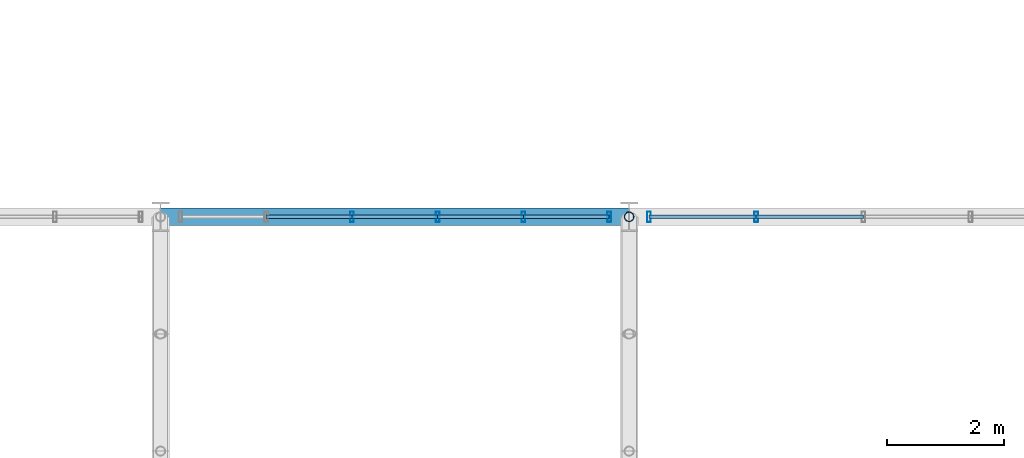
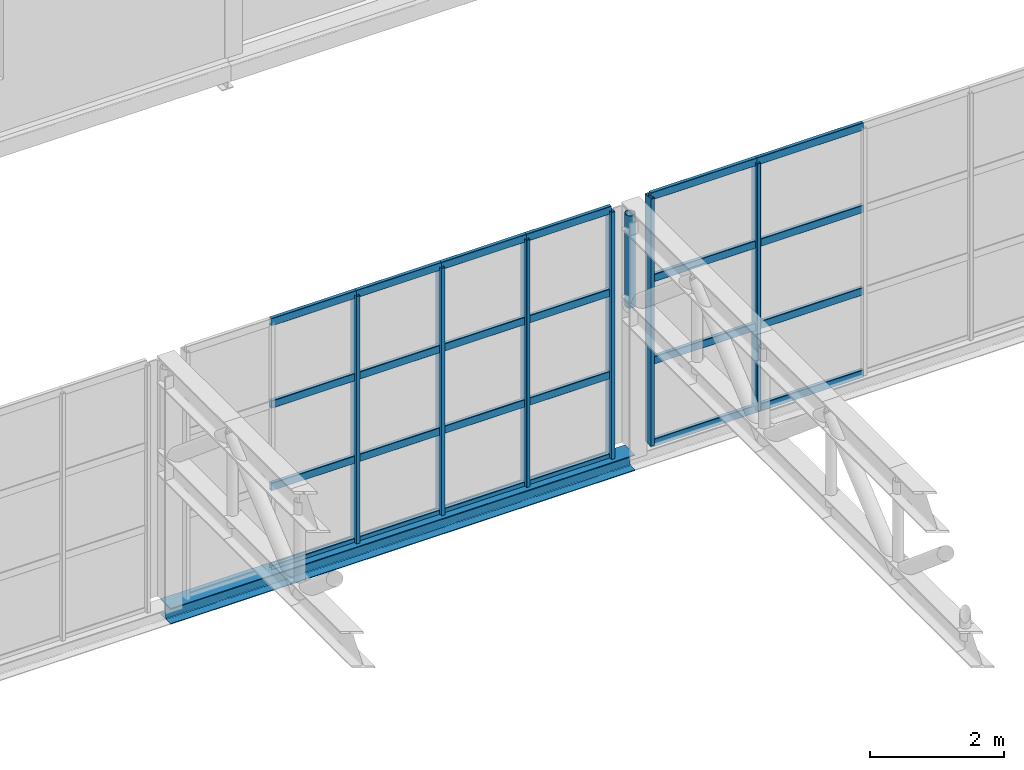
# One storey, part 94 of 143: 31 members, 1 beam, 2 elements without a shape of their own.
"""IFC4 building model written with IfcOpenShell, lengths in metres."""

from ifc_helpers import new_model, si_unit, derived_unit, direction, frame, origin, origin_2d, place, context, subcontext, project, spatial, hollow_rectangle, hollow_circle, i_section, extrude, material, material_profile, profile_set, type_object, element, aggregate, save


model = new_model("IFC4")

# Units and contexts
model_context = context("Model", 3, precision=1e-05, world=origin(), true_north=direction((0.0, 1.0)))
body_context = subcontext(model_context, "Body", "Model", "MODEL_VIEW")
ifc_project = project(units=[si_unit("LENGTHUNIT", "METRE"), si_unit("AREAUNIT", "SQUARE_METRE"), si_unit("VOLUMEUNIT", "CUBIC_METRE"), si_unit("PLANEANGLEUNIT", "RADIAN"), si_unit("MASSUNIT", "GRAM", prefix="KILO"), derived_unit("THERMALTRANSMITTANCEUNIT", [(si_unit("POWERUNIT", "WATT"), 1), (si_unit("LENGTHUNIT", "METRE"), -2), (si_unit("THERMODYNAMICTEMPERATUREUNIT", "KELVIN"), -1)])], contexts=[model_context])

# Site, building, storey
site_placement = place(None, origin())
site = spatial("IfcSite", under=ifc_project, at=site_placement, CompositionType="ELEMENT")
building_placement = place(site_placement, origin())
building = spatial("IfcBuilding", under=site, at=building_placement, Name="Keldorne Ridge Multi-Sports Centre", CompositionType="ELEMENT")
storey_placement = place(building_placement, frame((0.0, 0.0, 4.800048828125)))
storey = spatial("IfcBuildingStorey", under=building, at=storey_placement, Name="L01", CompositionType="ELEMENT", Elevation=4.800048828125)

# Beam
ifc_material_1 = material(Name="Steel S355", Category="steel")
ifc_material_profile_1 = material_profile(ifc_material_1, i_section(OverallWidth=0.300048828125, OverallDepth=0.2900390625, WebThickness=0.008544921875, FlangeThickness=0.013916015625, FilletRadius=0.027099609375, at=origin_2d()), Name="HEA 300")
ifc_profile_set_1 = profile_set([ifc_material_profile_1], Name="Steel S355")
beam_type = type_object("IfcBeamType", Name="BM-SP-04", PredefinedType="SPANDREL", material=ifc_profile_set_1)
beam_placement = place(storey_placement, frame((152.0, 54.0, -0.150146484375), z_axis=(1.0, 0.0, 0.0), x_axis=(0.0, 1.0, 0.0)))
element("IfcBeam", 1, at=beam_placement, inside=storey, type_object=beam_type, Name="Stacked Courts spandrel L01.54.7", PredefinedType="SPANDREL", context=body_context, shape_type="SweptSolid", body=[
    extrude(i_section(OverallWidth=0.300048828125, OverallDepth=0.2900390625, WebThickness=0.008544921875, FlangeThickness=0.013916015625, FilletRadius=0.027099609375, at=origin_2d()), origin(), (0.0, 0.0, 1.0), 8.0),
])

# Curtain wall, members
ifc_material_2 = material(Name="Anodized aluminium", Category="aluminium")
curtain_wall_type_1 = type_object("IfcCurtainWallType", Name="CW-CW-01", PredefinedType="NOTDEFINED", material=ifc_material_2)
curtain_wall_1_placement = place(storey_placement, origin())
curtain_wall_1 = element("IfcCurtainWall", 2, at=curtain_wall_1_placement, inside=storey, type_object=curtain_wall_type_1, Name="Lower Courts north clerestory 129", PredefinedType="NOTDEFINED")
ifc_material_profile_2 = material_profile(ifc_material_2, hollow_rectangle(XDim=0.06494140625, YDim=0.179931640625, WallThickness=0.00439453125, InnerFilletRadius=0.00439453125, OuterFilletRadius=0.009033203125, at=origin_2d()), Name="ALU MULLION 180x65x4.5")
ifc_profile_set_2 = profile_set([ifc_material_profile_2], Name="Anodized aluminium")
member_type_1 = type_object("IfcMemberType", Name="MEM-ML-01", PredefinedType="MULLION", material=ifc_profile_set_2)
member_1_placement = place(storey_placement, frame((159.659912109375, 54.0, 0.0), z_axis=(0.0, 0.0, 1.0), x_axis=(1.0, 0.0, 0.0)))
member_1 = element("IfcMember", 3, at=member_1_placement, type_object=member_type_1, Name="CW-129 vertical mullion 1", PredefinedType="MULLION", context=body_context, shape_type="SweptSolid", body=[
    extrude(hollow_rectangle(XDim=0.06494140625, YDim=0.179931640625, WallThickness=0.00439453125, InnerFilletRadius=0.00439453125, OuterFilletRadius=0.009033203125, at=origin_2d()), origin(), (0.0, 0.0, 1.0), 4.5),
])
member_2_placement = place(storey_placement, frame((158.196044921875, 54.0, 0.0), z_axis=(0.0, 0.0, 1.0), x_axis=(1.0, 0.0, 0.0)))
member_2 = element("IfcMember", 4, at=member_2_placement, type_object=member_type_1, Name="CW-129 vertical mullion 2", PredefinedType="MULLION", context=body_context, shape_type="SweptSolid", body=[
    extrude(hollow_rectangle(XDim=0.06494140625, YDim=0.179931640625, WallThickness=0.00439453125, InnerFilletRadius=0.00439453125, OuterFilletRadius=0.009033203125, at=origin_2d()), origin(), (0.0, 0.0, 1.0), 4.5),
])
member_3_placement = place(storey_placement, frame((156.73193359375, 54.0, 0.0), z_axis=(0.0, 0.0, 1.0), x_axis=(1.0, 0.0, 0.0)))
member_3 = element("IfcMember", 5, at=member_3_placement, type_object=member_type_1, Name="CW-129 vertical mullion 3", PredefinedType="MULLION", context=body_context, shape_type="SweptSolid", body=[
    extrude(hollow_rectangle(XDim=0.06494140625, YDim=0.179931640625, WallThickness=0.00439453125, InnerFilletRadius=0.00439453125, OuterFilletRadius=0.009033203125, at=origin_2d()), origin(), (0.0, 0.0, 1.0), 4.5),
])
member_4_placement = place(storey_placement, frame((155.26806640625, 54.0, 0.0), z_axis=(0.0, 0.0, 1.0), x_axis=(1.0, 0.0, 0.0)))
member_4 = element("IfcMember", 6, at=member_4_placement, type_object=member_type_1, Name="CW-129 vertical mullion 4", PredefinedType="MULLION", context=body_context, shape_type="SweptSolid", body=[
    extrude(hollow_rectangle(XDim=0.06494140625, YDim=0.179931640625, WallThickness=0.00439453125, InnerFilletRadius=0.00439453125, OuterFilletRadius=0.009033203125, at=origin_2d()), origin(), (0.0, 0.0, 1.0), 4.5),
])

curtain_wall_type_2 = type_object("IfcCurtainWallType", Name="CW-CW-08", PredefinedType="NOTDEFINED", material=ifc_material_2)
curtain_wall_2_placement = place(storey_placement, origin())
curtain_wall_2 = element("IfcCurtainWall", 7, at=curtain_wall_2_placement, inside=storey, type_object=curtain_wall_type_2, Name="Lower Courts north clerestory 136", PredefinedType="NOTDEFINED")
member_5_placement = place(storey_placement, frame((162.169921875, 54.0, 0.0), z_axis=(0.0, 0.0, 1.0), x_axis=(1.0, 0.0, 0.0)))
member_5 = element("IfcMember", 8, at=member_5_placement, type_object=member_type_1, Name="CW-136 vertical mullion 4", PredefinedType="MULLION", context=body_context, shape_type="SweptSolid", body=[
    extrude(hollow_rectangle(XDim=0.06494140625, YDim=0.179931640625, WallThickness=0.00439453125, InnerFilletRadius=0.00439453125, OuterFilletRadius=0.009033203125, at=origin_2d()), origin(), (0.0, 0.0, 1.0), 4.5),
])
member_6_placement = place(storey_placement, frame((160.340087890625, 54.0, 0.0), z_axis=(0.0, 0.0, 1.0), x_axis=(1.0, 0.0, 0.0)))
member_6 = element("IfcMember", 9, at=member_6_placement, type_object=member_type_1, Name="CW-136 vertical mullion 5", PredefinedType="MULLION", context=body_context, shape_type="SweptSolid", body=[
    extrude(hollow_rectangle(XDim=0.06494140625, YDim=0.179931640625, WallThickness=0.00439453125, InnerFilletRadius=0.00439453125, OuterFilletRadius=0.009033203125, at=origin_2d()), origin(), (0.0, 0.0, 1.0), 4.5),
])

# Member
ifc_material_profile_3 = material_profile(ifc_material_2, hollow_rectangle(XDim=0.06494140625, YDim=0.139892578125, WallThickness=0.00439453125, InnerFilletRadius=0.00439453125, OuterFilletRadius=0.009033203125, at=origin_2d()), Name="ALU TRANSOM 140x65x4.5")
ifc_profile_set_3 = profile_set([ifc_material_profile_3], Name="Anodized aluminium")
member_type_2 = type_object("IfcMemberType", Name="MEM-TR-01", PredefinedType="USERDEFINED", material=ifc_profile_set_3)
member_7_placement = place(storey_placement, frame((159.659912109375, 54.0, 0.0), z_axis=(-1.0, 0.0, 0.0), x_axis=(0.0, -1.0, 0.0)))
member_7 = element("IfcMember", 10, at=member_7_placement, type_object=member_type_2, Name="CW-129 transom 1.1", ObjectType="TRANSOM", PredefinedType="USERDEFINED", context=body_context, shape_type="SweptSolid", body=[
    extrude(hollow_rectangle(XDim=0.06494140625, YDim=0.139892578125, WallThickness=0.00439453125, InnerFilletRadius=0.00439453125, OuterFilletRadius=0.009033203125, at=origin_2d()), origin(), (0.0, 0.0, 1.0), 1.4638671875),
])

member_8_placement = place(storey_placement, frame((159.659912109375, 54.0, 1.5), z_axis=(-1.0, 0.0, 0.0), x_axis=(0.0, -1.0, 0.0)))
member_8 = element("IfcMember", 11, at=member_8_placement, type_object=member_type_2, Name="CW-129 transom 1.2", ObjectType="TRANSOM", PredefinedType="USERDEFINED", context=body_context, shape_type="SweptSolid", body=[
    extrude(hollow_rectangle(XDim=0.06494140625, YDim=0.139892578125, WallThickness=0.00439453125, InnerFilletRadius=0.00439453125, OuterFilletRadius=0.009033203125, at=origin_2d()), origin(), (0.0, 0.0, 1.0), 1.4638671875),
])

member_9_placement = place(storey_placement, frame((159.659912109375, 54.0, 3.0), z_axis=(-1.0, 0.0, 0.0), x_axis=(0.0, -1.0, 0.0)))
member_9 = element("IfcMember", 12, at=member_9_placement, type_object=member_type_2, Name="CW-129 transom 1.3", ObjectType="TRANSOM", PredefinedType="USERDEFINED", context=body_context, shape_type="SweptSolid", body=[
    extrude(hollow_rectangle(XDim=0.06494140625, YDim=0.139892578125, WallThickness=0.00439453125, InnerFilletRadius=0.00439453125, OuterFilletRadius=0.009033203125, at=origin_2d()), origin(), (0.0, 0.0, 1.0), 1.4638671875),
])

member_10_placement = place(storey_placement, frame((159.659912109375, 54.0, 4.5), z_axis=(-1.0, 0.0, 0.0), x_axis=(0.0, -1.0, 0.0)))
member_10 = element("IfcMember", 13, at=member_10_placement, type_object=member_type_2, Name="CW-129 transom 1.4", ObjectType="TRANSOM", PredefinedType="USERDEFINED", context=body_context, shape_type="SweptSolid", body=[
    extrude(hollow_rectangle(XDim=0.06494140625, YDim=0.139892578125, WallThickness=0.00439453125, InnerFilletRadius=0.00439453125, OuterFilletRadius=0.009033203125, at=origin_2d()), origin(), (0.0, 0.0, 1.0), 1.4638671875),
])

member_11_placement = place(storey_placement, frame((158.196044921875, 54.0, 0.0), z_axis=(-1.0, 0.0, 0.0), x_axis=(0.0, -1.0, 0.0)))
member_11 = element("IfcMember", 14, at=member_11_placement, type_object=member_type_2, Name="CW-129 transom 2.1", ObjectType="TRANSOM", PredefinedType="USERDEFINED", context=body_context, shape_type="SweptSolid", body=[
    extrude(hollow_rectangle(XDim=0.06494140625, YDim=0.139892578125, WallThickness=0.00439453125, InnerFilletRadius=0.00439453125, OuterFilletRadius=0.009033203125, at=origin_2d()), origin(), (0.0, 0.0, 1.0), 1.464111328125),
])

member_12_placement = place(storey_placement, frame((158.196044921875, 54.0, 1.5), z_axis=(-1.0, 0.0, 0.0), x_axis=(0.0, -1.0, 0.0)))
member_12 = element("IfcMember", 15, at=member_12_placement, type_object=member_type_2, Name="CW-129 transom 2.2", ObjectType="TRANSOM", PredefinedType="USERDEFINED", context=body_context, shape_type="SweptSolid", body=[
    extrude(hollow_rectangle(XDim=0.06494140625, YDim=0.139892578125, WallThickness=0.00439453125, InnerFilletRadius=0.00439453125, OuterFilletRadius=0.009033203125, at=origin_2d()), origin(), (0.0, 0.0, 1.0), 1.464111328125),
])

member_13_placement = place(storey_placement, frame((158.196044921875, 54.0, 3.0), z_axis=(-1.0, 0.0, 0.0), x_axis=(0.0, -1.0, 0.0)))
member_13 = element("IfcMember", 16, at=member_13_placement, type_object=member_type_2, Name="CW-129 transom 2.3", ObjectType="TRANSOM", PredefinedType="USERDEFINED", context=body_context, shape_type="SweptSolid", body=[
    extrude(hollow_rectangle(XDim=0.06494140625, YDim=0.139892578125, WallThickness=0.00439453125, InnerFilletRadius=0.00439453125, OuterFilletRadius=0.009033203125, at=origin_2d()), origin(), (0.0, 0.0, 1.0), 1.464111328125),
])

member_14_placement = place(storey_placement, frame((158.196044921875, 54.0, 4.5), z_axis=(-1.0, 0.0, 0.0), x_axis=(0.0, -1.0, 0.0)))
member_14 = element("IfcMember", 17, at=member_14_placement, type_object=member_type_2, Name="CW-129 transom 2.4", ObjectType="TRANSOM", PredefinedType="USERDEFINED", context=body_context, shape_type="SweptSolid", body=[
    extrude(hollow_rectangle(XDim=0.06494140625, YDim=0.139892578125, WallThickness=0.00439453125, InnerFilletRadius=0.00439453125, OuterFilletRadius=0.009033203125, at=origin_2d()), origin(), (0.0, 0.0, 1.0), 1.464111328125),
])

member_15_placement = place(storey_placement, frame((156.73193359375, 54.0, 0.0), z_axis=(-1.0, 0.0, 0.0), x_axis=(0.0, -1.0, 0.0)))
member_15 = element("IfcMember", 18, at=member_15_placement, type_object=member_type_2, Name="CW-129 transom 3.1", ObjectType="TRANSOM", PredefinedType="USERDEFINED", context=body_context, shape_type="SweptSolid", body=[
    extrude(hollow_rectangle(XDim=0.06494140625, YDim=0.139892578125, WallThickness=0.00439453125, InnerFilletRadius=0.00439453125, OuterFilletRadius=0.009033203125, at=origin_2d()), origin(), (0.0, 0.0, 1.0), 1.4638671875),
])

member_16_placement = place(storey_placement, frame((156.73193359375, 54.0, 1.5), z_axis=(-1.0, 0.0, 0.0), x_axis=(0.0, -1.0, 0.0)))
member_16 = element("IfcMember", 19, at=member_16_placement, type_object=member_type_2, Name="CW-129 transom 3.2", ObjectType="TRANSOM", PredefinedType="USERDEFINED", context=body_context, shape_type="SweptSolid", body=[
    extrude(hollow_rectangle(XDim=0.06494140625, YDim=0.139892578125, WallThickness=0.00439453125, InnerFilletRadius=0.00439453125, OuterFilletRadius=0.009033203125, at=origin_2d()), origin(), (0.0, 0.0, 1.0), 1.4638671875),
])

member_17_placement = place(storey_placement, frame((156.73193359375, 54.0, 3.0), z_axis=(-1.0, 0.0, 0.0), x_axis=(0.0, -1.0, 0.0)))
member_17 = element("IfcMember", 20, at=member_17_placement, type_object=member_type_2, Name="CW-129 transom 3.3", ObjectType="TRANSOM", PredefinedType="USERDEFINED", context=body_context, shape_type="SweptSolid", body=[
    extrude(hollow_rectangle(XDim=0.06494140625, YDim=0.139892578125, WallThickness=0.00439453125, InnerFilletRadius=0.00439453125, OuterFilletRadius=0.009033203125, at=origin_2d()), origin(), (0.0, 0.0, 1.0), 1.4638671875),
])

member_18_placement = place(storey_placement, frame((156.73193359375, 54.0, 4.5), z_axis=(-1.0, 0.0, 0.0), x_axis=(0.0, -1.0, 0.0)))
member_18 = element("IfcMember", 21, at=member_18_placement, type_object=member_type_2, Name="CW-129 transom 3.4", ObjectType="TRANSOM", PredefinedType="USERDEFINED", context=body_context, shape_type="SweptSolid", body=[
    extrude(hollow_rectangle(XDim=0.06494140625, YDim=0.139892578125, WallThickness=0.00439453125, InnerFilletRadius=0.00439453125, OuterFilletRadius=0.009033203125, at=origin_2d()), origin(), (0.0, 0.0, 1.0), 1.4638671875),
])

member_19_placement = place(storey_placement, frame((155.26806640625, 54.0, 0.0), z_axis=(-1.0, 0.0, 0.0), x_axis=(0.0, -1.0, 0.0)))
member_19 = element("IfcMember", 22, at=member_19_placement, type_object=member_type_2, Name="CW-129 transom 4.1", ObjectType="TRANSOM", PredefinedType="USERDEFINED", context=body_context, shape_type="SweptSolid", body=[
    extrude(hollow_rectangle(XDim=0.06494140625, YDim=0.139892578125, WallThickness=0.00439453125, InnerFilletRadius=0.00439453125, OuterFilletRadius=0.009033203125, at=origin_2d()), origin(), (0.0, 0.0, 1.0), 1.464111328125),
])

member_20_placement = place(storey_placement, frame((155.26806640625, 54.0, 1.5), z_axis=(-1.0, 0.0, 0.0), x_axis=(0.0, -1.0, 0.0)))
member_20 = element("IfcMember", 23, at=member_20_placement, type_object=member_type_2, Name="CW-129 transom 4.2", ObjectType="TRANSOM", PredefinedType="USERDEFINED", context=body_context, shape_type="SweptSolid", body=[
    extrude(hollow_rectangle(XDim=0.06494140625, YDim=0.139892578125, WallThickness=0.00439453125, InnerFilletRadius=0.00439453125, OuterFilletRadius=0.009033203125, at=origin_2d()), origin(), (0.0, 0.0, 1.0), 1.464111328125),
])

member_21_placement = place(storey_placement, frame((155.26806640625, 54.0, 3.0), z_axis=(-1.0, 0.0, 0.0), x_axis=(0.0, -1.0, 0.0)))
member_21 = element("IfcMember", 24, at=member_21_placement, type_object=member_type_2, Name="CW-129 transom 4.3", ObjectType="TRANSOM", PredefinedType="USERDEFINED", context=body_context, shape_type="SweptSolid", body=[
    extrude(hollow_rectangle(XDim=0.06494140625, YDim=0.139892578125, WallThickness=0.00439453125, InnerFilletRadius=0.00439453125, OuterFilletRadius=0.009033203125, at=origin_2d()), origin(), (0.0, 0.0, 1.0), 1.464111328125),
])

member_22_placement = place(storey_placement, frame((155.26806640625, 54.0, 4.5), z_axis=(-1.0, 0.0, 0.0), x_axis=(0.0, -1.0, 0.0)))
member_22 = element("IfcMember", 25, at=member_22_placement, type_object=member_type_2, Name="CW-129 transom 4.4", ObjectType="TRANSOM", PredefinedType="USERDEFINED", context=body_context, shape_type="SweptSolid", body=[
    extrude(hollow_rectangle(XDim=0.06494140625, YDim=0.139892578125, WallThickness=0.00439453125, InnerFilletRadius=0.00439453125, OuterFilletRadius=0.009033203125, at=origin_2d()), origin(), (0.0, 0.0, 1.0), 1.464111328125),
])

aggregate(curtain_wall_1, [member_1, member_2, member_3, member_4, member_7, member_8, member_9, member_10, member_11, member_12, member_13, member_14, member_15, member_16, member_17, member_18, member_19, member_20, member_21, member_22])

member_23_placement = place(storey_placement, frame((164.0, 54.0, 0.0), z_axis=(-1.0, 0.0, 0.0), x_axis=(0.0, -1.0, 0.0)))
member_23 = element("IfcMember", 26, at=member_23_placement, type_object=member_type_2, Name="CW-136 transom 3.1", ObjectType="TRANSOM", PredefinedType="USERDEFINED", context=body_context, shape_type="SweptSolid", body=[
    extrude(hollow_rectangle(XDim=0.06494140625, YDim=0.139892578125, WallThickness=0.00439453125, InnerFilletRadius=0.00439453125, OuterFilletRadius=0.009033203125, at=origin_2d()), origin(), (0.0, 0.0, 1.0), 1.830078125),
])

member_24_placement = place(storey_placement, frame((164.0, 54.0, 1.5), z_axis=(-1.0, 0.0, 0.0), x_axis=(0.0, -1.0, 0.0)))
member_24 = element("IfcMember", 27, at=member_24_placement, type_object=member_type_2, Name="CW-136 transom 3.2", ObjectType="TRANSOM", PredefinedType="USERDEFINED", context=body_context, shape_type="SweptSolid", body=[
    extrude(hollow_rectangle(XDim=0.06494140625, YDim=0.139892578125, WallThickness=0.00439453125, InnerFilletRadius=0.00439453125, OuterFilletRadius=0.009033203125, at=origin_2d()), origin(), (0.0, 0.0, 1.0), 1.830078125),
])

member_25_placement = place(storey_placement, frame((164.0, 54.0, 3.0), z_axis=(-1.0, 0.0, 0.0), x_axis=(0.0, -1.0, 0.0)))
member_25 = element("IfcMember", 28, at=member_25_placement, type_object=member_type_2, Name="CW-136 transom 3.3", ObjectType="TRANSOM", PredefinedType="USERDEFINED", context=body_context, shape_type="SweptSolid", body=[
    extrude(hollow_rectangle(XDim=0.06494140625, YDim=0.139892578125, WallThickness=0.00439453125, InnerFilletRadius=0.00439453125, OuterFilletRadius=0.009033203125, at=origin_2d()), origin(), (0.0, 0.0, 1.0), 1.830078125),
])

member_26_placement = place(storey_placement, frame((164.0, 54.0, 4.5), z_axis=(-1.0, 0.0, 0.0), x_axis=(0.0, -1.0, 0.0)))
member_26 = element("IfcMember", 29, at=member_26_placement, type_object=member_type_2, Name="CW-136 transom 3.4", ObjectType="TRANSOM", PredefinedType="USERDEFINED", context=body_context, shape_type="SweptSolid", body=[
    extrude(hollow_rectangle(XDim=0.06494140625, YDim=0.139892578125, WallThickness=0.00439453125, InnerFilletRadius=0.00439453125, OuterFilletRadius=0.009033203125, at=origin_2d()), origin(), (0.0, 0.0, 1.0), 1.830078125),
])

member_27_placement = place(storey_placement, frame((162.169921875, 54.0, 0.0), z_axis=(-1.0, 0.0, 0.0), x_axis=(0.0, -1.0, 0.0)))
member_27 = element("IfcMember", 30, at=member_27_placement, type_object=member_type_2, Name="CW-136 transom 4.1", ObjectType="TRANSOM", PredefinedType="USERDEFINED", context=body_context, shape_type="SweptSolid", body=[
    extrude(hollow_rectangle(XDim=0.06494140625, YDim=0.139892578125, WallThickness=0.00439453125, InnerFilletRadius=0.00439453125, OuterFilletRadius=0.009033203125, at=origin_2d()), origin(), (0.0, 0.0, 1.0), 1.829833984375),
])

member_28_placement = place(storey_placement, frame((162.169921875, 54.0, 1.5), z_axis=(-1.0, 0.0, 0.0), x_axis=(0.0, -1.0, 0.0)))
member_28 = element("IfcMember", 31, at=member_28_placement, type_object=member_type_2, Name="CW-136 transom 4.2", ObjectType="TRANSOM", PredefinedType="USERDEFINED", context=body_context, shape_type="SweptSolid", body=[
    extrude(hollow_rectangle(XDim=0.06494140625, YDim=0.139892578125, WallThickness=0.00439453125, InnerFilletRadius=0.00439453125, OuterFilletRadius=0.009033203125, at=origin_2d()), origin(), (0.0, 0.0, 1.0), 1.829833984375),
])

member_29_placement = place(storey_placement, frame((162.169921875, 54.0, 3.0), z_axis=(-1.0, 0.0, 0.0), x_axis=(0.0, -1.0, 0.0)))
member_29 = element("IfcMember", 32, at=member_29_placement, type_object=member_type_2, Name="CW-136 transom 4.3", ObjectType="TRANSOM", PredefinedType="USERDEFINED", context=body_context, shape_type="SweptSolid", body=[
    extrude(hollow_rectangle(XDim=0.06494140625, YDim=0.139892578125, WallThickness=0.00439453125, InnerFilletRadius=0.00439453125, OuterFilletRadius=0.009033203125, at=origin_2d()), origin(), (0.0, 0.0, 1.0), 1.829833984375),
])

member_30_placement = place(storey_placement, frame((162.169921875, 54.0, 4.5), z_axis=(-1.0, 0.0, 0.0), x_axis=(0.0, -1.0, 0.0)))
member_30 = element("IfcMember", 33, at=member_30_placement, type_object=member_type_2, Name="CW-136 transom 4.4", ObjectType="TRANSOM", PredefinedType="USERDEFINED", context=body_context, shape_type="SweptSolid", body=[
    extrude(hollow_rectangle(XDim=0.06494140625, YDim=0.139892578125, WallThickness=0.00439453125, InnerFilletRadius=0.00439453125, OuterFilletRadius=0.009033203125, at=origin_2d()), origin(), (0.0, 0.0, 1.0), 1.829833984375),
])

aggregate(curtain_wall_2, [member_5, member_6, member_23, member_24, member_25, member_26, member_27, member_28, member_29, member_30])

ifc_material_profile_4 = material_profile(ifc_material_1, hollow_circle(Radius=0.084228515625, WallThickness=0.010009765625, at=origin_2d()), Name="CHS 168.3x10")
ifc_profile_set_4 = profile_set([ifc_material_profile_4], Name="Steel S355")
member_type_3 = type_object("IfcMemberType", Name="MEM-TV-01", PredefinedType="STRUT", material=ifc_profile_set_4)
member_31_placement = place(storey_placement, frame((160.0, 54.0, 2.6298828125), z_axis=(0.0, 0.0, 1.0), x_axis=(1.0, 0.0, 0.0)))
element("IfcMember", 34, at=member_31_placement, inside=storey, type_object=member_type_3, Name="Stacked Courts Warren TRUSS WT-L02-08 end post 24", PredefinedType="STRUT", context=body_context, shape_type="SweptSolid", body=[
    extrude(hollow_circle(Radius=0.084228515625, WallThickness=0.010009765625, at=origin_2d()), origin(), (0.0, 0.0, 1.0), 1.68017578125),
])

save(model, "model.ifc")
